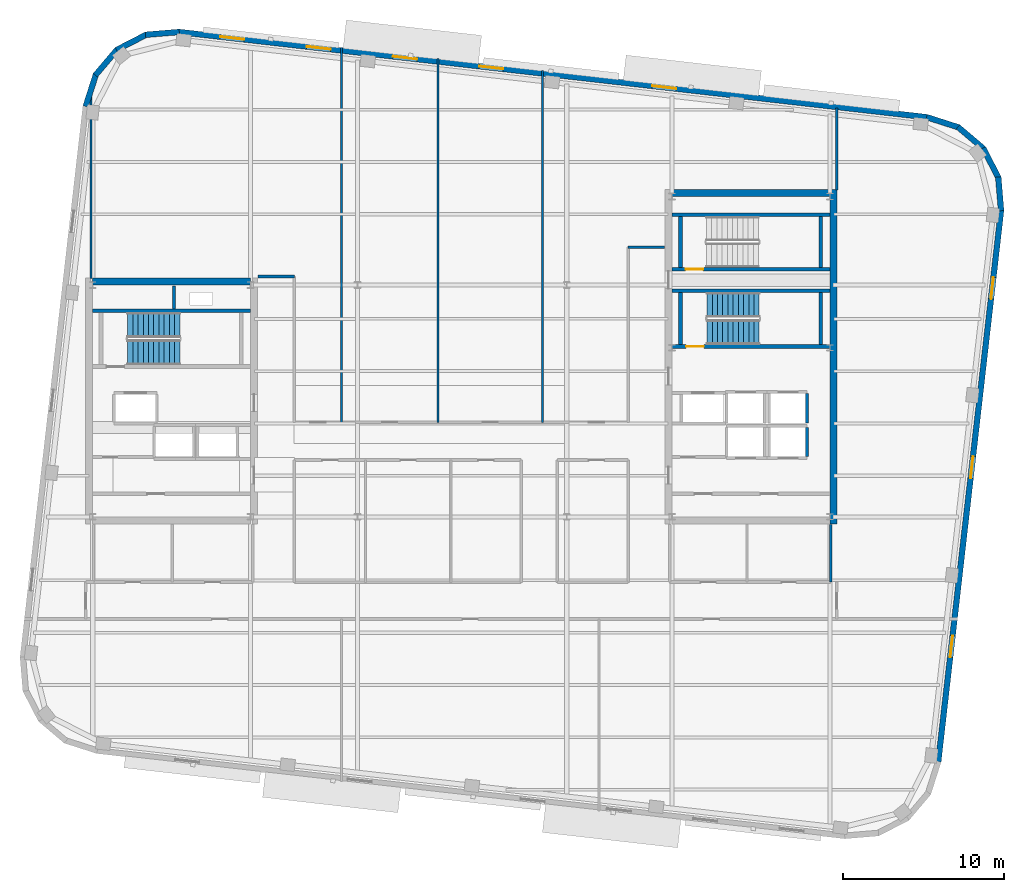
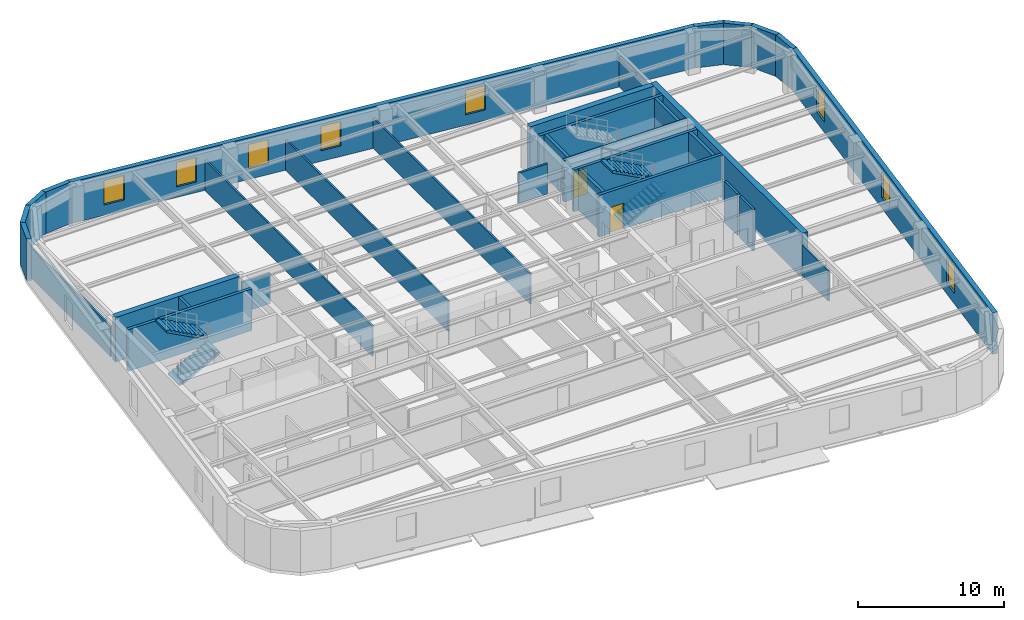
# One storey, part 8 of 13: 33 walls, 8 windows, 4 stair flights, 2 doors, 10 openings, 2 elements without a shape of their own.
"""IFC4 building model written with IfcOpenShell, lengths in metres."""

from ifc_helpers import new_model, si_unit, direction, frame, frame_2d, origin, place, context, subcontext, project, spatial, polyline, rectangle, outline, extrude, material, layer, layer_set, type_object, element, fill, aggregate, save


model = new_model("IFC4")

# Units and contexts
model_context = context("Model", 3, precision=1e-05, world=origin(), true_north=direction((0.0, 1.0)))
body_context = subcontext(model_context, "Body", "Model", "MODEL_VIEW")
ifc_project = project(units=[si_unit("LENGTHUNIT", "METRE"), si_unit("AREAUNIT", "SQUARE_METRE"), si_unit("VOLUMEUNIT", "CUBIC_METRE"), si_unit("PLANEANGLEUNIT", "RADIAN"), si_unit("MASSUNIT", "GRAM", prefix="KILO")], contexts=[model_context])

# Site, building, storey
site_placement = place(None, origin())
site = spatial("IfcSite", under=ifc_project, at=site_placement, CompositionType="ELEMENT")
building_placement = place(site_placement, origin())
building = spatial("IfcBuilding", under=site, at=building_placement, Name="Kolvaren Arena Tower", CompositionType="ELEMENT")
storey_placement = place(building_placement, frame((0.0, 0.0, 243.449951171875)))
storey = spatial("IfcBuildingStorey", under=building, at=storey_placement, Name="L59", CompositionType="ELEMENT", Elevation=243.449951171875)

# Walls
ifc_material_1 = material(Name="Gypsum board acoustic assembly", Category="gypsum")
ifc_layer_1 = layer(ifc_material_1, 0.159912109375)
ifc_layer_set_1 = layer_set([ifc_layer_1], Name="Gypsum board acoustic assembly")
wall_type_1 = type_object("IfcWallType", Name="CORR-160", PredefinedType="PARTITIONING", material=ifc_layer_set_1)
for number, where, z_axis, x_axis, name in (
    (1, (24.820068359375, 34.3798828125, 0.0), (0.0, 0.0, 1.0), (1.0, 0.0, 0.0), "Interior Partition Wall (L59)"),
    (2, (47.820068359375, 36.199951171875, 0.0), (0.0, 0.0, 1.0), (1.0, 0.0, 0.0), "Interior Partition Wall (L59)"),
):
    element("IfcWall", number, at=place(storey_placement, frame(where, z_axis=z_axis, x_axis=x_axis)), inside=storey, type_object=wall_type_1, Name=name, PredefinedType="PARTITIONING", context=body_context, shape_type="SweptSolid", body=[
        extrude(rectangle(XDim=2.260009765625, YDim=0.159912109375, at=frame_2d((1.1298828125, 0.0))), origin(), (0.0, 0.0, 1.0), 2.5400390625),
    ])
ifc_material_2 = material(Name="Concrete 55 MPa", Category="concrete")
ifc_layer_2 = layer(ifc_material_2, 0.449951171875)
ifc_layer_set_2 = layer_set([ifc_layer_2], Name="Concrete 55 MPa")
wall_type_2 = type_object("IfcWallType", Name="CWALL-450", PredefinedType="SHEAR", material=ifc_layer_set_2)
wall_1_placement = place(storey_placement, frame((14.550048828125, 34.074951171875, -0.27001953125), z_axis=(0.0, 0.0, 1.0), x_axis=(1.0, 0.0, 0.0)))
element("IfcWall", 3, at=wall_1_placement, inside=storey, type_object=wall_type_2, Name="Core Shear Wall WC-NORTH (L59)", PredefinedType="SHEAR", context=body_context, shape_type="SweptSolid", body=[
    extrude(rectangle(XDim=9.800048828125, YDim=0.449951171875, at=frame_2d((4.89990234375, 0.0))), origin(), (0.0, 0.0, 1.0), 3.75),
])
wall_2_placement = place(storey_placement, frame((60.574951171875, 19.0, -0.27001953125), z_axis=(0.0, 0.0, 1.0), x_axis=(0.0, 1.0, 0.0)))
element("IfcWall", 4, at=wall_2_placement, inside=storey, type_object=wall_type_2, Name="Core Shear Wall EC-EAST (L59)", PredefinedType="SHEAR", context=body_context, shape_type="SweptSolid", body=[
    extrude(rectangle(XDim=20.800048828125, YDim=0.449951171875, at=frame_2d((10.39990234375, 0.0))), origin(), (0.0, 0.0, 1.0), 3.75),
])
wall_3_placement = place(storey_placement, frame((50.550048828125, 39.574951171875, -0.27001953125), z_axis=(0.0, 0.0, 1.0), x_axis=(1.0, 0.0, 0.0)))
element("IfcWall", 5, at=wall_3_placement, inside=storey, type_object=wall_type_2, Name="Core Shear Wall EC-NORTH (L59)", PredefinedType="SHEAR", context=body_context, shape_type="SweptSolid", body=[
    extrude(rectangle(XDim=9.800048828125, YDim=0.449951171875, at=frame_2d((4.89990234375, 0.0))), origin(), (0.0, 0.0, 1.0), 3.75),
])

# Wall, openings, windows
ifc_material_3 = material(Name="Precast concrete C50/60", Category="concrete")
ifc_layer_3 = layer(ifc_material_3, 0.360107421875)
ifc_layer_set_3 = layer_set([ifc_layer_3], Name="Precast concrete C50/60")
wall_type_3 = type_object("IfcWallType", Name="EXT-PIER2", PredefinedType="SOLIDWALL", material=ifc_layer_set_3)
wall_4_placement = place(storey_placement, frame((70.98876953125, 38.499267578125, 0.0), z_axis=(0.0, 0.0, 1.0), x_axis=(-0.113203107947, -0.993571867733, 0.0)))
wall_4 = element("IfcWall", 6, at=wall_4_placement, inside=storey, type_object=wall_type_3, Name="Exterior Precast Masonry-Frame Wall (L59)", PredefinedType="SOLIDWALL", context=body_context, shape_type="SweptSolid", body=[
    extrude(rectangle(XDim=34.5, YDim=0.360107421875, at=frame_2d((17.25, 0.0))), origin(), (0.0, 0.0, 1.0), 3.47998046875),
])
opening_1_placement = place(wall_4_placement, frame((4.199951171875, 0.0, 0.8798828125)))
opening_1 = element("IfcOpeningElement", 7, at=opening_1_placement, cuts=wall_4, Name="Opening W04", PredefinedType="OPENING", context=body_context, shape_type="SweptSolid", body=[
    extrude(rectangle(XDim=1.35009765625, YDim=2.199951171875, at=frame_2d((0.675048828125, 1.10009765625))), frame((0.0, 0.18994140625, 0.0), z_axis=(0.0, -1.0, 0.0), x_axis=(1.0, 0.0, 0.0)), (0.0, 0.0, 1.0), 0.380126953125),
])
opening_2_placement = place(wall_4_placement, frame((15.39990234375, 0.0, 0.8798828125)))
opening_2 = element("IfcOpeningElement", 8, at=opening_2_placement, cuts=wall_4, Name="Opening W04", PredefinedType="OPENING", context=body_context, shape_type="SweptSolid", body=[
    extrude(rectangle(XDim=1.35009765625, YDim=2.199951171875, at=frame_2d((0.675048828125, 1.10009765625))), frame((0.0, 0.18994140625, 0.0), z_axis=(0.0, -1.0, 0.0), x_axis=(1.0, 0.0, 0.0)), (0.0, 0.0, 1.0), 0.380126953125),
])
opening_3_placement = place(wall_4_placement, frame((26.60009765625, 0.0, 0.8798828125)))
opening_3 = element("IfcOpeningElement", 9, at=opening_3_placement, cuts=wall_4, Name="Opening W04", PredefinedType="OPENING", context=body_context, shape_type="SweptSolid", body=[
    extrude(rectangle(XDim=1.35009765625, YDim=2.199951171875, at=frame_2d((0.675048828125, 1.10009765625))), frame((0.0, 0.18994140625, 0.0), z_axis=(0.0, -1.0, 0.0), x_axis=(1.0, 0.0, 0.0)), (0.0, 0.0, 1.0), 0.380126953125),
])
ifc_material_4 = material(Name="Triple-glazed curved-facet corner window", Category="glass")
window_type_1 = type_object("IfcWindowType", Name="WIN-CRN-A", PartitioningType="SINGLE_PANEL", PredefinedType="WINDOW", material=ifc_material_4)
window_1_placement = place(opening_1_placement, origin())
window_1 = element("IfcWindow", 10, at=window_1_placement, inside=storey, type_object=window_type_1, Name="End-Wall Punched Window (L59)", OverallHeight=2.199951171875, OverallWidth=1.35009765625, PartitioningType="SINGLE_PANEL", PredefinedType="WINDOW", context=body_context, shape_type="SweptSolid", body=[
    extrude(rectangle(XDim=1.35009765625, YDim=2.199951171875, at=frame_2d((0.675048828125, 1.10009765625))), frame((0.0, 0.030029296875, 0.0), z_axis=(0.0, -1.0, 0.0), x_axis=(1.0, 0.0, 0.0)), (0.0, 0.0, 1.0), 0.06005859375),
])
fill(opening_1, window_1)
window_2_placement = place(opening_2_placement, origin())
window_2 = element("IfcWindow", 11, at=window_2_placement, inside=storey, type_object=window_type_1, Name="End-Wall Punched Window (L59)", OverallHeight=2.199951171875, OverallWidth=1.35009765625, PartitioningType="SINGLE_PANEL", PredefinedType="WINDOW", context=body_context, shape_type="SweptSolid", body=[
    extrude(rectangle(XDim=1.35009765625, YDim=2.199951171875, at=frame_2d((0.675048828125, 1.10009765625))), frame((0.0, 0.030029296875, 0.0), z_axis=(0.0, -1.0, 0.0), x_axis=(1.0, 0.0, 0.0)), (0.0, 0.0, 1.0), 0.06005859375),
])
fill(opening_2, window_2)
window_3_placement = place(opening_3_placement, origin())
window_3 = element("IfcWindow", 12, at=window_3_placement, inside=storey, type_object=window_type_1, Name="End-Wall Punched Window (L59)", OverallHeight=2.199951171875, OverallWidth=1.35009765625, PartitioningType="SINGLE_PANEL", PredefinedType="WINDOW", context=body_context, shape_type="SweptSolid", body=[
    extrude(rectangle(XDim=1.35009765625, YDim=2.199951171875, at=frame_2d((0.675048828125, 1.10009765625))), frame((0.0, 0.030029296875, 0.0), z_axis=(0.0, -1.0, 0.0), x_axis=(1.0, 0.0, 0.0)), (0.0, 0.0, 1.0), 0.06005859375),
])
fill(opening_3, window_3)

# Walls
wall_5_placement = place(storey_placement, frame((70.813720703125, 40.563720703125, 0.0), z_axis=(0.0, 0.0, 1.0), x_axis=(0.082853678144, -0.996561723135, 0.0)))
element("IfcWall", 13, at=wall_5_placement, inside=storey, type_object=wall_type_3, Name="Exterior Precast Masonry-Frame Wall (L59)", PredefinedType="SOLIDWALL", context=body_context, shape_type="SweptSolid", body=[
    extrude(rectangle(XDim=2.10693359375, YDim=0.360107421875, at=frame_2d((1.053466796875, 0.0))), origin(), (0.0, 0.0, 1.0), 3.47998046875),
])
for number, where, z_axis, x_axis, name in (
    (14, (69.868408203125, 42.369384765625, 0.0), (0.0, 0.0, 1.0), (0.457887222333, -0.889010287693, 0.0), "Exterior Precast Masonry-Frame Wall (L59)"),
    (15, (68.303955078125, 43.67578125, 0.0), (0.0, 0.0, 1.0), (0.763192878975, -0.646170743289, 0.0), "Exterior Precast Masonry-Frame Wall (L59)"),
    (16, (66.358642578125, 44.283935546875, 0.0), (0.0, 0.0, 1.0), (0.952403965565, -0.304838787518, 0.0), "Exterior Precast Masonry-Frame Wall (L59)"),
):
    element("IfcWall", number, at=place(storey_placement, frame(where, z_axis=z_axis, x_axis=x_axis)), inside=storey, type_object=wall_type_3, Name=name, PredefinedType="SOLIDWALL", context=body_context, shape_type="SweptSolid", body=[
        extrude(rectangle(XDim=2.107177734375, YDim=0.360107421875, at=frame_2d((1.0537109375, 0.0))), origin(), (0.0, 0.0, 1.0), 3.47998046875),
    ])

# Wall, openings, windows
wall_6_placement = place(storey_placement, frame((19.89404296875, 49.57470703125, 0.0), z_axis=(0.0, 0.0, 1.0), x_axis=(0.993571439016, -0.113206870688, 0.0)))
wall_6 = element("IfcWall", 17, at=wall_6_placement, inside=storey, type_object=wall_type_3, Name="Exterior Precast Masonry-Frame Wall (L59)", PredefinedType="SOLIDWALL", context=body_context, shape_type="SweptSolid", body=[
    extrude(rectangle(XDim=46.800048828125, YDim=0.360107421875, at=frame_2d((23.39990234375, 0.0))), origin(), (0.0, 0.0, 1.0), 3.47998046875),
])
opening_4_placement = place(wall_6_placement, frame((2.60009765625, 0.0, 0.8798828125)))
opening_4 = element("IfcOpeningElement", 18, at=opening_4_placement, cuts=wall_6, Name="Opening W03", PredefinedType="OPENING", context=body_context, shape_type="SweptSolid", body=[
    extrude(rectangle(XDim=1.5, YDim=2.050048828125, at=frame_2d((0.75, 1.02490234375))), frame((0.0, 0.18994140625, 0.0), z_axis=(0.0, -1.0, 0.0), x_axis=(1.0, 0.0, 0.0)), (0.0, 0.0, 1.0), 0.380126953125),
])
opening_5_placement = place(wall_6_placement, frame((8.0, 0.0, 0.8798828125)))
opening_5 = element("IfcOpeningElement", 19, at=opening_5_placement, cuts=wall_6, Name="Opening W03", PredefinedType="OPENING", context=body_context, shape_type="SweptSolid", body=[
    extrude(rectangle(XDim=1.5, YDim=2.050048828125, at=frame_2d((0.75, 1.02490234375))), frame((0.0, 0.18994140625, 0.0), z_axis=(0.0, -1.0, 0.0), x_axis=(1.0, 0.0, 0.0)), (0.0, 0.0, 1.0), 0.380126953125),
])
opening_6_placement = place(wall_6_placement, frame((13.39990234375, 0.0, 0.8798828125)))
opening_6 = element("IfcOpeningElement", 20, at=opening_6_placement, cuts=wall_6, Name="Opening W03", PredefinedType="OPENING", context=body_context, shape_type="SweptSolid", body=[
    extrude(rectangle(XDim=1.5, YDim=2.050048828125, at=frame_2d((0.75, 1.02490234375))), frame((0.0, 0.18994140625, 0.0), z_axis=(0.0, -1.0, 0.0), x_axis=(1.0, 0.0, 0.0)), (0.0, 0.0, 1.0), 0.380126953125),
])
opening_7_placement = place(wall_6_placement, frame((18.800048828125, 0.0, 0.8798828125)))
opening_7 = element("IfcOpeningElement", 21, at=opening_7_placement, cuts=wall_6, Name="Opening W03", PredefinedType="OPENING", context=body_context, shape_type="SweptSolid", body=[
    extrude(rectangle(XDim=1.5, YDim=2.050048828125, at=frame_2d((0.75, 1.02490234375))), frame((0.0, 0.18994140625, 0.0), z_axis=(0.0, -1.0, 0.0), x_axis=(1.0, 0.0, 0.0)), (0.0, 0.0, 1.0), 0.380126953125),
])
opening_8_placement = place(wall_6_placement, frame((29.60009765625, 0.0, 0.8798828125)))
opening_8 = element("IfcOpeningElement", 22, at=opening_8_placement, cuts=wall_6, Name="Opening W03", PredefinedType="OPENING", context=body_context, shape_type="SweptSolid", body=[
    extrude(rectangle(XDim=1.5, YDim=2.050048828125, at=frame_2d((0.75, 1.02490234375))), frame((0.0, 0.18994140625, 0.0), z_axis=(0.0, -1.0, 0.0), x_axis=(1.0, 0.0, 0.0)), (0.0, 0.0, 1.0), 0.380126953125),
])
ifc_material_5 = material(Name="Triple-glazed low-E aluminium window", Category="aluminium")
window_type_2 = type_object("IfcWindowType", Name="WIN-OFF-C", PartitioningType="SINGLE_PANEL", PredefinedType="WINDOW", material=ifc_material_5)
window_4_placement = place(opening_4_placement, origin())
window_4 = element("IfcWindow", 23, at=window_4_placement, inside=storey, type_object=window_type_2, Name="Punched Precast-Pier Window (L59)", OverallHeight=2.050048828125, OverallWidth=1.5, PartitioningType="SINGLE_PANEL", PredefinedType="WINDOW", context=body_context, shape_type="SweptSolid", body=[
    extrude(rectangle(XDim=1.5, YDim=2.050048828125, at=frame_2d((0.75, 1.02490234375))), frame((0.0, 0.030029296875, 0.0), z_axis=(0.0, -1.0, 0.0), x_axis=(1.0, 0.0, 0.0)), (0.0, 0.0, 1.0), 0.06005859375),
])
fill(opening_4, window_4)
window_5_placement = place(opening_5_placement, origin())
window_5 = element("IfcWindow", 24, at=window_5_placement, inside=storey, type_object=window_type_2, Name="Punched Precast-Pier Window (L59)", OverallHeight=2.050048828125, OverallWidth=1.5, PartitioningType="SINGLE_PANEL", PredefinedType="WINDOW", context=body_context, shape_type="SweptSolid", body=[
    extrude(rectangle(XDim=1.5, YDim=2.050048828125, at=frame_2d((0.75, 1.02490234375))), frame((0.0, 0.030029296875, 0.0), z_axis=(0.0, -1.0, 0.0), x_axis=(1.0, 0.0, 0.0)), (0.0, 0.0, 1.0), 0.06005859375),
])
fill(opening_5, window_5)
window_6_placement = place(opening_6_placement, origin())
window_6 = element("IfcWindow", 25, at=window_6_placement, inside=storey, type_object=window_type_2, Name="Punched Precast-Pier Window (L59)", OverallHeight=2.050048828125, OverallWidth=1.5, PartitioningType="SINGLE_PANEL", PredefinedType="WINDOW", context=body_context, shape_type="SweptSolid", body=[
    extrude(rectangle(XDim=1.5, YDim=2.050048828125, at=frame_2d((0.75, 1.02490234375))), frame((0.0, 0.030029296875, 0.0), z_axis=(0.0, -1.0, 0.0), x_axis=(1.0, 0.0, 0.0)), (0.0, 0.0, 1.0), 0.06005859375),
])
fill(opening_6, window_6)
window_7_placement = place(opening_7_placement, origin())
window_7 = element("IfcWindow", 26, at=window_7_placement, inside=storey, type_object=window_type_2, Name="Punched Precast-Pier Window (L59)", OverallHeight=2.050048828125, OverallWidth=1.5, PartitioningType="SINGLE_PANEL", PredefinedType="WINDOW", context=body_context, shape_type="SweptSolid", body=[
    extrude(rectangle(XDim=1.5, YDim=2.050048828125, at=frame_2d((0.75, 1.02490234375))), frame((0.0, 0.030029296875, 0.0), z_axis=(0.0, -1.0, 0.0), x_axis=(1.0, 0.0, 0.0)), (0.0, 0.0, 1.0), 0.06005859375),
])
fill(opening_7, window_7)
window_8_placement = place(opening_8_placement, origin())
window_8 = element("IfcWindow", 27, at=window_8_placement, inside=storey, type_object=window_type_2, Name="Punched Precast-Pier Window (L59)", OverallHeight=2.050048828125, OverallWidth=1.5, PartitioningType="SINGLE_PANEL", PredefinedType="WINDOW", context=body_context, shape_type="SweptSolid", body=[
    extrude(rectangle(XDim=1.5, YDim=2.050048828125, at=frame_2d((0.75, 1.02490234375))), frame((0.0, 0.030029296875, 0.0), z_axis=(0.0, -1.0, 0.0), x_axis=(1.0, 0.0, 0.0)), (0.0, 0.0, 1.0), 0.06005859375),
])
fill(opening_8, window_8)

# Walls
for number, where, z_axis, x_axis, name in (
    (28, (17.82958984375, 49.3994140625, 0.0), (0.0, 0.0, 1.0), (0.996562518477, 0.082844111233, 0.0), "Exterior Precast Masonry-Frame Wall (L59)"),
    (29, (16.02392578125, 48.4541015625, 0.0), (0.0, 0.0, 1.0), (0.889010287693, 0.457887222333, 0.0), "Exterior Precast Masonry-Frame Wall (L59)"),
    (30, (14.717529296875, 46.8896484375, 0.0), (0.0, 0.0, 1.0), (0.646170743289, 0.763192878975, 0.0), "Exterior Precast Masonry-Frame Wall (L59)"),
):
    element("IfcWall", number, at=place(storey_placement, frame(where, z_axis=z_axis, x_axis=x_axis)), inside=storey, type_object=wall_type_3, Name=name, PredefinedType="SOLIDWALL", context=body_context, shape_type="SweptSolid", body=[
        extrude(rectangle(XDim=2.107177734375, YDim=0.360107421875, at=frame_2d((1.0537109375, 0.0))), origin(), (0.0, 0.0, 1.0), 3.47998046875),
    ])
wall_7_placement = place(storey_placement, frame((14.109375, 44.944580078125, 0.0), z_axis=(0.0, 0.0, 1.0), x_axis=(0.304872429864, 0.952393196904, 0.0)))
element("IfcWall", 31, at=wall_7_placement, inside=storey, type_object=wall_type_3, Name="Exterior Precast Masonry-Frame Wall (L59)", PredefinedType="SOLIDWALL", context=body_context, shape_type="SweptSolid", body=[
    extrude(rectangle(XDim=2.10693359375, YDim=0.360107421875, at=frame_2d((1.053466796875, 0.0))), origin(), (0.0, 0.0, 1.0), 3.47998046875),
])
ifc_material_6 = material(Name="Gypsum board partition assembly", Category="gypsum")
ifc_layer_4 = layer(ifc_material_6, 0.135009765625)
ifc_layer_set_4 = layer_set([ifc_layer_4], Name="Gypsum board partition assembly")
wall_type_4 = type_object("IfcWallType", Name="PART-135", PredefinedType="PARTITIONING", material=ifc_layer_set_4)
wall_8_placement = place(storey_placement, frame((30.0, 25.320068359375, 0.0), z_axis=(0.0, 0.0, 1.0), x_axis=(0.0, 1.0, 0.0)))
element("IfcWall", 32, at=wall_8_placement, inside=storey, type_object=wall_type_4, Name="Interior Partition Wall (L59)", PredefinedType="PARTITIONING", context=body_context, shape_type="SweptSolid", body=[
    extrude(rectangle(XDim=23.2841796875, YDim=0.135009765625, at=frame_2d((11.64208984375, 0.0))), origin(), (0.0, 0.0, 1.0), 2.5400390625),
])
wall_9_placement = place(storey_placement, frame((36.0, 25.320068359375, 0.0), z_axis=(0.0, 0.0, 1.0), x_axis=(0.0, 1.0, 0.0)))
element("IfcWall", 33, at=wall_9_placement, inside=storey, type_object=wall_type_4, Name="Interior Partition Wall (L59)", PredefinedType="PARTITIONING", context=body_context, shape_type="SweptSolid", body=[
    extrude(rectangle(XDim=22.6005859375, YDim=0.135009765625, at=frame_2d((11.30029296875, 0.0))), origin(), (0.0, 0.0, 1.0), 2.5400390625),
])
wall_10_placement = place(storey_placement, frame((42.5, 25.320068359375, 0.0), z_axis=(0.0, 0.0, 1.0), x_axis=(0.0, 1.0, 0.0)))
element("IfcWall", 34, at=wall_10_placement, inside=storey, type_object=wall_type_4, Name="Interior Partition Wall (L59)", PredefinedType="PARTITIONING", context=body_context, shape_type="SweptSolid", body=[
    extrude(rectangle(XDim=21.860107421875, YDim=0.135009765625, at=frame_2d((10.93017578125, 0.0))), origin(), (0.0, 0.0, 1.0), 2.5400390625),
])
wall_11_placement = place(storey_placement, frame((14.449951171875, 34.25, 0.0), z_axis=(0.0, 0.0, 1.0), x_axis=(0.0, 1.0, 0.0)))
element("IfcWall", 35, at=wall_11_placement, inside=storey, type_object=wall_type_4, Name="Interior Partition Wall (L59)", PredefinedType="PARTITIONING", context=body_context, shape_type="SweptSolid", body=[
    extrude(rectangle(XDim=11.56201171875, YDim=0.135009765625, at=frame_2d((5.781005859375, 0.0))), origin(), (0.0, 0.0, 1.0), 2.5400390625),
])
wall_12_placement = place(storey_placement, frame((60.780029296875, 39.75, 0.0), z_axis=(0.0, 0.0, 1.0), x_axis=(0.0, 1.0, 0.0)))
element("IfcWall", 36, at=wall_12_placement, inside=storey, type_object=wall_type_4, Name="Interior Partition Wall (L59)", PredefinedType="PARTITIONING", context=body_context, shape_type="SweptSolid", body=[
    extrude(rectangle(XDim=5.105712890625, YDim=0.135009765625, at=frame_2d((2.552734375, 0.0))), origin(), (0.0, 0.0, 1.0), 2.5400390625),
])
ifc_material_7 = material(Name="Concrete 45 MPa", Category="concrete")
ifc_layer_5 = layer(ifc_material_7, 0.25)
ifc_layer_set_5 = layer_set([ifc_layer_5], Name="Concrete 45 MPa")
wall_type_5 = type_object("IfcWallType", Name="SHAFT-250", PredefinedType="SOLIDWALL", material=ifc_layer_set_5)
wall_13_placement = place(storey_placement, frame((14.550048828125, 32.25, 0.0), z_axis=(0.0, 0.0, 1.0), x_axis=(1.0, 0.0, 0.0)))
element("IfcWall", 37, at=wall_13_placement, inside=storey, type_object=wall_type_5, Name="Core Shaft Wall (L59)", PredefinedType="SOLIDWALL", context=body_context, shape_type="SweptSolid", body=[
    extrude(rectangle(XDim=9.800048828125, YDim=0.239990234375, at=frame_2d((4.89990234375, 0.0))), origin(), (0.0, 0.0, 1.0), 3.47998046875),
])

# Wall, opening, door
wall_14_placement = place(storey_placement, frame((60.35009765625, 30.030029296875, 0.0), z_axis=(0.0, 0.0, 1.0), x_axis=(-1.0, 0.0, 0.0)))
wall_14 = element("IfcWall", 38, at=wall_14_placement, inside=storey, type_object=wall_type_5, Name="Core Shaft Wall (L59)", PredefinedType="SOLIDWALL", context=body_context, shape_type="SweptSolid", body=[
    extrude(rectangle(XDim=9.800048828125, YDim=0.239990234375, at=frame_2d((4.89990234375, 0.0))), origin(), (0.0, 0.0, 1.0), 3.47998046875),
])
opening_9_placement = place(wall_14_placement, frame((7.830078125, 0.0, 0.0)))
opening_9 = element("IfcOpeningElement", 39, at=opening_9_placement, cuts=wall_14, Name="Opening D03", PredefinedType="OPENING", context=body_context, shape_type="SweptSolid", body=[
    extrude(rectangle(XDim=1.10009765625, YDim=2.14990234375, at=frame_2d((0.550048828125, 1.074951171875))), frame((0.0, 0.1298828125, 0.0), z_axis=(0.0, -1.0, 0.0), x_axis=(1.0, 0.0, 0.0)), (0.0, 0.0, 1.0), 0.260009765625),
])
ifc_material_8 = material(Name="Fire-rated steel exit stair door", Category="steel")
door_type = type_object("IfcDoorType", Name="DOOR-ST-110", OperationType="NOTDEFINED", PredefinedType="DOOR", material=ifc_material_8)
door_1_placement = place(opening_9_placement, origin())
door_1 = element("IfcDoor", 40, at=door_1_placement, inside=storey, type_object=door_type, Name="Stair ST-E1 Fire Door (L59)", OperationType="SINGLE_SWING_LEFT", OverallHeight=2.14990234375, OverallWidth=1.10009765625, PredefinedType="DOOR", context=body_context, shape_type="SweptSolid", body=[
    extrude(rectangle(XDim=1.10009765625, YDim=2.14990234375, at=frame_2d((0.550048828125, 1.074951171875))), frame((0.0, 0.02490234375, 0.0), z_axis=(0.0, -1.0, 0.0), x_axis=(1.0, 0.0, 0.0)), (0.0, 0.0, 1.0), 0.050048828125),
])
fill(opening_9, door_1)

# Walls
wall_15_placement = place(storey_placement, frame((50.550048828125, 33.5, 0.0), z_axis=(0.0, 0.0, 1.0), x_axis=(1.0, 0.0, 0.0)))
element("IfcWall", 41, at=wall_15_placement, inside=storey, type_object=wall_type_5, Name="Core Shaft Wall (L59)", PredefinedType="SOLIDWALL", context=body_context, shape_type="SweptSolid", body=[
    extrude(rectangle(XDim=9.800048828125, YDim=0.239990234375, at=frame_2d((4.89990234375, 0.0))), origin(), (0.0, 0.0, 1.0), 3.47998046875),
])
for number, where, z_axis, x_axis, name in (
    (42, (51.06005859375, 30.14990234375, 0.0), (0.0, 0.0, 1.0), (0.0, 1.0, 0.0), "Core Shaft Wall (L59)"),
    (43, (59.780029296875, 30.14990234375, 0.0), (0.0, 0.0, 1.0), (0.0, 1.0, 0.0), "Core Shaft Wall (L59)"),
):
    element("IfcWall", number, at=place(storey_placement, frame(where, z_axis=z_axis, x_axis=x_axis)), inside=storey, type_object=wall_type_5, Name=name, PredefinedType="SOLIDWALL", context=body_context, shape_type="SweptSolid", body=[
        extrude(rectangle(XDim=3.22998046875, YDim=0.239990234375, at=frame_2d((1.614990234375, 0.0))), origin(), (0.0, 0.0, 1.0), 3.47998046875),
    ])

# Wall, opening, door
wall_16_placement = place(storey_placement, frame((60.35009765625, 34.830078125, 0.0), z_axis=(0.0, 0.0, 1.0), x_axis=(-1.0, 0.0, 0.0)))
wall_16 = element("IfcWall", 44, at=wall_16_placement, inside=storey, type_object=wall_type_5, Name="Core Shaft Wall (L59)", PredefinedType="SOLIDWALL", context=body_context, shape_type="SweptSolid", body=[
    extrude(rectangle(XDim=9.800048828125, YDim=0.239990234375, at=frame_2d((4.89990234375, 0.0))), origin(), (0.0, 0.0, 1.0), 3.47998046875),
])
opening_10_placement = place(wall_16_placement, frame((7.8701171875, 0.0, 0.0)))
opening_10 = element("IfcOpeningElement", 45, at=opening_10_placement, cuts=wall_16, Name="Opening D03", PredefinedType="OPENING", context=body_context, shape_type="SweptSolid", body=[
    extrude(rectangle(XDim=1.10009765625, YDim=2.14990234375, at=frame_2d((0.550048828125, 1.074951171875))), frame((0.0, 0.1298828125, 0.0), z_axis=(0.0, -1.0, 0.0), x_axis=(1.0, 0.0, 0.0)), (0.0, 0.0, 1.0), 0.260009765625),
])
door_2_placement = place(opening_10_placement, origin())
door_2 = element("IfcDoor", 46, at=door_2_placement, inside=storey, type_object=door_type, Name="Stair ST-E2 Fire Door (L59)", OperationType="SINGLE_SWING_LEFT", OverallHeight=2.14990234375, OverallWidth=1.10009765625, PredefinedType="DOOR", context=body_context, shape_type="SweptSolid", body=[
    extrude(rectangle(XDim=1.10009765625, YDim=2.14990234375, at=frame_2d((0.550048828125, 1.074951171875))), frame((0.0, 0.02490234375, 0.0), z_axis=(0.0, -1.0, 0.0), x_axis=(1.0, 0.0, 0.0)), (0.0, 0.0, 1.0), 0.050048828125),
])
fill(opening_10, door_2)

# Walls
wall_17_placement = place(storey_placement, frame((50.550048828125, 38.219970703125, 0.0), z_axis=(0.0, 0.0, 1.0), x_axis=(1.0, 0.0, 0.0)))
element("IfcWall", 47, at=wall_17_placement, inside=storey, type_object=wall_type_5, Name="Core Shaft Wall (L59)", PredefinedType="SOLIDWALL", context=body_context, shape_type="SweptSolid", body=[
    extrude(rectangle(XDim=9.800048828125, YDim=0.239990234375, at=frame_2d((4.89990234375, 0.0))), origin(), (0.0, 0.0, 1.0), 3.47998046875),
])
for number, where, z_axis, x_axis, name in (
    (48, (51.06005859375, 34.949951171875, 0.0), (0.0, 0.0, 1.0), (0.0, 1.0, 0.0), "Core Shaft Wall (L59)"),
    (49, (59.780029296875, 34.949951171875, 0.0), (0.0, 0.0, 1.0), (0.0, 1.0, 0.0), "Core Shaft Wall (L59)"),
):
    element("IfcWall", number, at=place(storey_placement, frame(where, z_axis=z_axis, x_axis=x_axis)), inside=storey, type_object=wall_type_5, Name=name, PredefinedType="SOLIDWALL", context=body_context, shape_type="SweptSolid", body=[
        extrude(rectangle(XDim=3.150146484375, YDim=0.239990234375, at=frame_2d((1.5751953125, 0.0))), origin(), (0.0, 0.0, 1.0), 3.47998046875),
    ])
wall_18_placement = place(storey_placement, frame((19.60009765625, 32.3701171875, 0.0), z_axis=(0.0, 0.0, 1.0), x_axis=(0.0, 1.0, 0.0)))
element("IfcWall", 50, at=wall_18_placement, inside=storey, type_object=wall_type_5, Name="Core Shaft Wall (L59)", PredefinedType="SOLIDWALL", context=body_context, shape_type="SweptSolid", body=[
    extrude(rectangle(XDim=1.429931640625, YDim=0.199951171875, at=frame_2d((0.71484375, 0.0))), origin(), (0.0, 0.0, 1.0), 3.47998046875),
])
wall_19_placement = place(storey_placement, frame((58.93994140625, 23.18505859375, 0.0), z_axis=(0.0, 0.0, 1.0), x_axis=(0.0, 1.0, 0.0)))
element("IfcWall", 51, at=wall_19_placement, inside=storey, type_object=wall_type_5, Name="Core Shaft Wall (L59)", PredefinedType="SOLIDWALL", context=body_context, shape_type="SweptSolid", body=[
    extrude(rectangle(XDim=1.829833984375, YDim=0.179931640625, at=frame_2d((0.9150390625, 0.0))), origin(), (0.0, 0.0, 1.0), 3.47998046875),
])
wall_20_placement = place(storey_placement, frame((58.93994140625, 25.284912109375, 0.0), z_axis=(0.0, 0.0, 1.0), x_axis=(0.0, 1.0, 0.0)))
element("IfcWall", 52, at=wall_20_placement, inside=storey, type_object=wall_type_5, Name="Core Shaft Wall (L59)", PredefinedType="SOLIDWALL", context=body_context, shape_type="SweptSolid", body=[
    extrude(rectangle(XDim=1.830078125, YDim=0.179931640625, at=frame_2d((0.9150390625, 0.0))), origin(), (0.0, 0.0, 1.0), 3.47998046875),
])
ifc_material_9 = material(Name="Moisture-resistant gypsum assembly", Category="gypsum")
ifc_layer_6 = layer(ifc_material_9, 0.14990234375)
ifc_layer_set_6 = layer_set([ifc_layer_6], Name="Moisture-resistant gypsum assembly")
wall_type_6 = type_object("IfcWallType", Name="WETW-150", PredefinedType="PARTITIONING", material=ifc_layer_set_6)
wall_21_placement = place(storey_placement, frame((60.39990234375, 15.39990234375, 0.0), z_axis=(0.0, 0.0, 1.0), x_axis=(0.0, 1.0, 0.0)))
element("IfcWall", 53, at=wall_21_placement, inside=storey, type_object=wall_type_6, Name="Interior Partition Wall (L59)", PredefinedType="PARTITIONING", context=body_context, shape_type="SweptSolid", body=[
    extrude(rectangle(XDim=3.580078125, YDim=0.14990234375, at=frame_2d((1.7900390625, 0.0))), origin(), (0.0, 0.0, 1.0), 2.5400390625),
])

# Stair, stair flights
stair_type = type_object("IfcStairType", Name="STAIR-CORE-165", PredefinedType="HALF_TURN_STAIR", material=ifc_material_7)
stair_1_placement = place(storey_placement, origin())
stair_1 = element("IfcStair", 54, at=stair_1_placement, inside=storey, type_object=stair_type, Name="L59 ST-W1", PredefinedType="HALF_TURN_STAIR")
stair_flight_type = type_object("IfcStairFlightType", Name="FLT-165", PredefinedType="STRAIGHT", material=ifc_material_7)
stair_flight_1_placement = place(storey_placement, frame((16.719970703125, 29.669921875, 0.0), z_axis=(0.0, 0.0, 1.0), x_axis=(1.0, 0.0, 0.0)))
stair_flight_1 = element("IfcStairFlight", 55, at=stair_flight_1_placement, type_object=stair_flight_type, Name="ST-W1 flight 1", NumberOfRisers=11, NumberOfTreads=10, PredefinedType="STRAIGHT", RiserHeight=0.170454545, TreadLength=0.324, context=body_context, shape_type="SweptSolid", body=[
    extrude(outline(polyline([(0.0, 0.0), (0.0, 0.17041015625), (0.323974609375, 0.17041015625), (0.323974609375, 0.3408203125), (0.64794921875, 0.3408203125), (0.64794921875, 0.511474609375), (0.971923828125, 0.511474609375), (0.971923828125, 0.681884765625), (1.2958984375, 0.681884765625), (1.2958984375, 0.852294921875), (1.6201171875, 0.852294921875), (1.6201171875, 1.022705078125), (1.944091796875, 1.022705078125), (1.944091796875, 1.193115234375), (2.26806640625, 1.193115234375), (2.26806640625, 1.363525390625), (2.592041015625, 1.363525390625), (2.592041015625, 1.5341796875), (2.916015625, 1.5341796875), (2.916015625, 1.70458984375), (3.239990234375, 1.70458984375), (3.239990234375, 1.875), (3.239990234375, 1.53515625), (0.322021484375, 0.0), (0.0, 0.0)])), frame((0.0, 0.77001953125, 0.0), z_axis=(0.0, -1.0, 0.0), x_axis=(1.0, 0.0, 0.0)), (0.0, 0.0, 1.0), 1.5400390625),
])
stair_flight_2_placement = place(storey_placement, frame((19.9599609375, 31.360107421875, 1.875), z_axis=(0.0, 0.0, 1.0), x_axis=(-1.0, 0.0, 0.0)))
stair_flight_2 = element("IfcStairFlight", 56, at=stair_flight_2_placement, type_object=stair_flight_type, Name="ST-W1 flight 2", NumberOfRisers=11, NumberOfTreads=10, PredefinedType="STRAIGHT", RiserHeight=0.170454545, TreadLength=0.324, context=body_context, shape_type="SweptSolid", body=[
    extrude(outline(polyline([(0.0, 0.0), (0.0, 0.17041015625), (0.323974609375, 0.17041015625), (0.323974609375, 0.3408203125), (0.64794921875, 0.3408203125), (0.64794921875, 0.511474609375), (0.971923828125, 0.511474609375), (0.971923828125, 0.681884765625), (1.2958984375, 0.681884765625), (1.2958984375, 0.852294921875), (1.6201171875, 0.852294921875), (1.6201171875, 1.022705078125), (1.944091796875, 1.022705078125), (1.944091796875, 1.193115234375), (2.26806640625, 1.193115234375), (2.26806640625, 1.363525390625), (2.592041015625, 1.363525390625), (2.592041015625, 1.5341796875), (2.916015625, 1.5341796875), (2.916015625, 1.70458984375), (3.239990234375, 1.70458984375), (3.239990234375, 1.875), (3.239990234375, 1.53515625), (0.322021484375, 0.0), (0.0, 0.0)])), frame((0.0, 0.77001953125, 0.0), z_axis=(0.0, -1.0, 0.0), x_axis=(1.0, 0.0, 0.0)), (0.0, 0.0, 1.0), 1.5400390625),
])
aggregate(stair_1, [stair_flight_1, stair_flight_2])

stair_2_placement = place(storey_placement, origin())
stair_2 = element("IfcStair", 57, at=stair_2_placement, inside=storey, type_object=stair_type, Name="L59 ST-E1", PredefinedType="HALF_TURN_STAIR")
stair_flight_3_placement = place(storey_placement, frame((52.719970703125, 30.919921875, 0.0), z_axis=(0.0, 0.0, 1.0), x_axis=(1.0, 0.0, 0.0)))
stair_flight_3 = element("IfcStairFlight", 58, at=stair_flight_3_placement, type_object=stair_flight_type, Name="ST-E1 flight 1", NumberOfRisers=11, NumberOfTreads=10, PredefinedType="STRAIGHT", RiserHeight=0.170454545, TreadLength=0.324, context=body_context, shape_type="SweptSolid", body=[
    extrude(outline(polyline([(0.0, 0.0), (0.0, 0.17041015625), (0.323974609375, 0.17041015625), (0.323974609375, 0.3408203125), (0.64794921875, 0.3408203125), (0.64794921875, 0.511474609375), (0.971923828125, 0.511474609375), (0.971923828125, 0.681884765625), (1.2958984375, 0.681884765625), (1.2958984375, 0.852294921875), (1.6201171875, 0.852294921875), (1.6201171875, 1.022705078125), (1.944091796875, 1.022705078125), (1.944091796875, 1.193115234375), (2.26806640625, 1.193115234375), (2.26806640625, 1.363525390625), (2.592041015625, 1.363525390625), (2.592041015625, 1.5341796875), (2.916015625, 1.5341796875), (2.916015625, 1.70458984375), (3.239990234375, 1.70458984375), (3.239990234375, 1.875), (3.239990234375, 1.53515625), (0.322021484375, 0.0), (0.0, 0.0)])), frame((0.0, 0.77001953125, 0.0), z_axis=(0.0, -1.0, 0.0), x_axis=(1.0, 0.0, 0.0)), (0.0, 0.0, 1.0), 1.5400390625),
])
stair_flight_4_placement = place(storey_placement, frame((55.9599609375, 32.610107421875, 1.875), z_axis=(0.0, 0.0, 1.0), x_axis=(-1.0, 0.0, 0.0)))
stair_flight_4 = element("IfcStairFlight", 59, at=stair_flight_4_placement, type_object=stair_flight_type, Name="ST-E1 flight 2", NumberOfRisers=11, NumberOfTreads=10, PredefinedType="STRAIGHT", RiserHeight=0.170454545, TreadLength=0.324, context=body_context, shape_type="SweptSolid", body=[
    extrude(outline(polyline([(0.0, 0.0), (0.0, 0.17041015625), (0.323974609375, 0.17041015625), (0.323974609375, 0.3408203125), (0.64794921875, 0.3408203125), (0.64794921875, 0.511474609375), (0.971923828125, 0.511474609375), (0.971923828125, 0.681884765625), (1.2958984375, 0.681884765625), (1.2958984375, 0.852294921875), (1.6201171875, 0.852294921875), (1.6201171875, 1.022705078125), (1.944091796875, 1.022705078125), (1.944091796875, 1.193115234375), (2.26806640625, 1.193115234375), (2.26806640625, 1.363525390625), (2.592041015625, 1.363525390625), (2.592041015625, 1.5341796875), (2.916015625, 1.5341796875), (2.916015625, 1.70458984375), (3.239990234375, 1.70458984375), (3.239990234375, 1.875), (3.239990234375, 1.53515625), (0.322021484375, 0.0), (0.0, 0.0)])), frame((0.0, 0.77001953125, 0.0), z_axis=(0.0, -1.0, 0.0), x_axis=(1.0, 0.0, 0.0)), (0.0, 0.0, 1.0), 1.5400390625),
])
aggregate(stair_2, [stair_flight_3, stair_flight_4])

save(model, "model.ifc")
